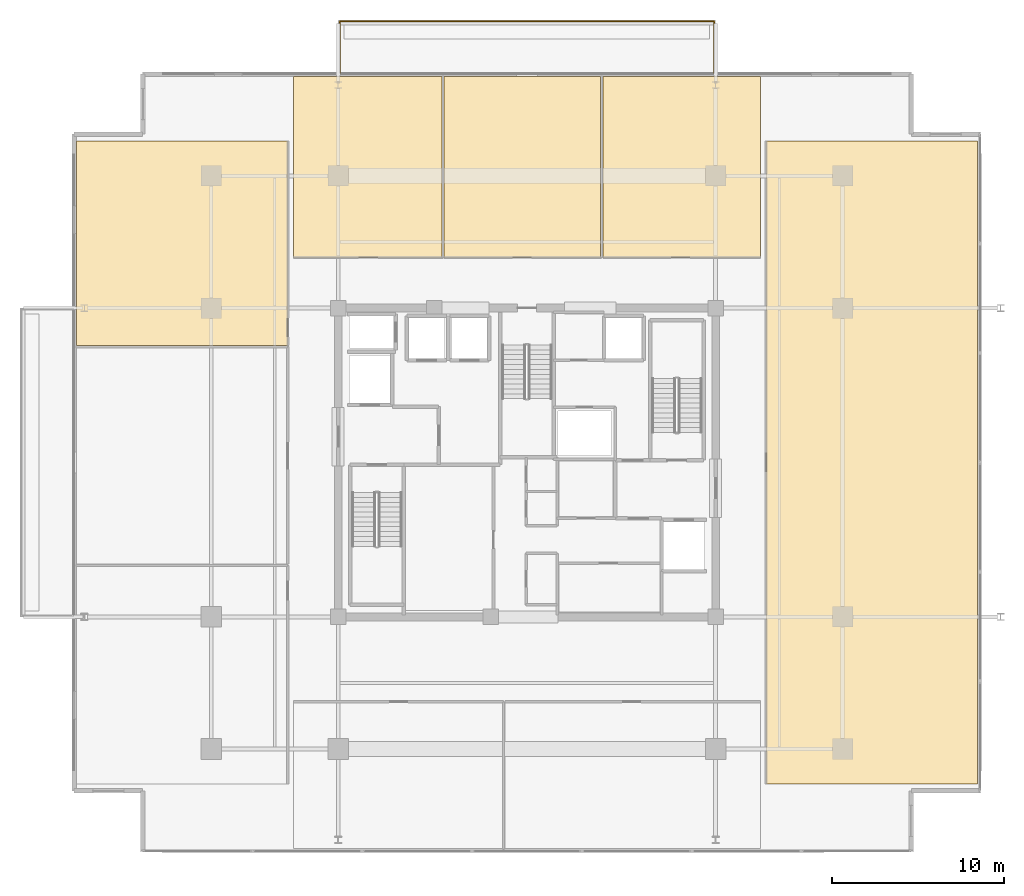
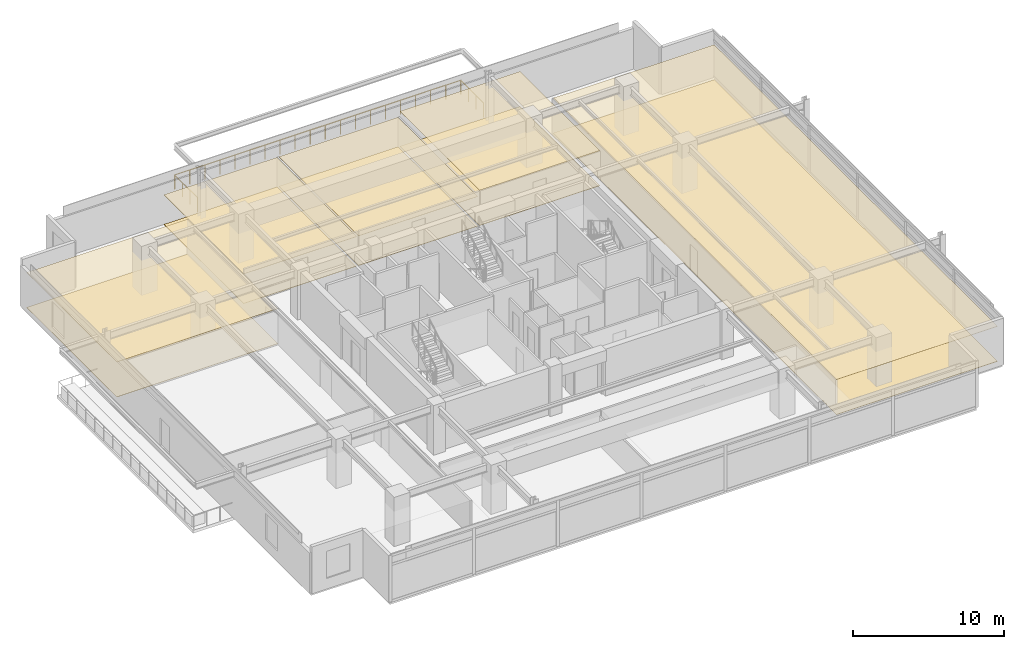
# One storey, part 18 of 18: 10 coverings, 1 railing.
"""IFC4 building model written with IfcOpenShell, lengths in metres."""

import ifcopenshell
import ifcopenshell.guid

model = None  # the IFC model being written
_history = None  # IfcOwnerHistory: only IFC2X3 demands one
_inside = {}  # id of a spatial element -> (the spatial element, [elements in it])
_under = {}  # id of a project, library or spatial element -> (it, [spatial elements below it])
_declared = {}  # id of a project -> (the project, [libraries it declares])
_typed = {}  # id of a type object -> (the type object, [elements of that type])
_made_of = {}  # id of a material, layer set ... -> (it, [elements and type objects made of it])


def new_model(schema):
    """Start an empty IFC model of exactly this schema.

    Asked for "IFC4X3", IfcOpenShell would pick the latest addendum, in which some entities
    have other attributes; the version numbers below select the first issue.
    IFC2X3 requires an IfcOwnerHistory on every rooted entity: one is made here for all.
    """
    global model, _history
    if schema == "IFC4X3":
        model = ifcopenshell.file(schema_version=(4, 3, 0, 0))
    else:
        model = ifcopenshell.file(schema=schema)
    _inside.clear()
    _under.clear()
    _declared.clear()
    _typed.clear()
    _made_of.clear()
    _history = None
    if model.schema == "IFC2X3":
        org = make("IfcOrganization", Name="unknown")
        user = make(
            "IfcPersonAndOrganization",
            ThePerson=make("IfcPerson", FamilyName="unknown"),
            TheOrganization=org,
        )
        app = make(
            "IfcApplication",
            ApplicationDeveloper=org,
            Version="unknown",
            ApplicationFullName="unknown",
            ApplicationIdentifier="unknown",
        )
        _history = make(
            "IfcOwnerHistory",
            OwningUser=user,
            OwningApplication=app,
            ChangeAction="ADDED",
            CreationDate=0,
        )
    return model


def make(cls, **values):
    """One entity of the class cls with the attributes given. An attribute that is None is left unset."""
    return model.create_entity(
        cls, **{name: value for name, value in values.items() if value is not None}
    )


def rooted(cls, **values):
    """An entity with a GlobalId (a new one), such as an element, a storey or a relation."""
    return make(cls, GlobalId=ifcopenshell.guid.new(), OwnerHistory=_history, **values)


def si_unit(unit_type, name, prefix=None):
    """IfcSIUnit, for example si_unit("LENGTHUNIT", "METRE", prefix="MILLI")."""
    return make("IfcSIUnit", UnitType=unit_type, Prefix=prefix, Name=name)


def assignment(units):
    """IfcUnitAssignment: the units of a project."""
    return None if units is None else make("IfcUnitAssignment", Units=units)


def point(xyz):
    """IfcCartesianPoint."""
    return None if xyz is None else make("IfcCartesianPoint", Coordinates=xyz)


def direction(xyz):
    """IfcDirection."""
    return None if xyz is None else make("IfcDirection", DirectionRatios=xyz)


def frame(location, z_axis=None, x_axis=None):
    """IfcAxis2Placement3D, a coordinate frame: its origin and axes. An axis left out is left unset."""
    return make(
        "IfcAxis2Placement3D",
        Location=point(location),
        Axis=direction(z_axis),
        RefDirection=direction(x_axis),
    )


def frame_2d(location, x_axis=None):
    """IfcAxis2Placement2D, a coordinate frame in the plane: its origin and x axis."""
    return make(
        "IfcAxis2Placement2D", Location=point(location), RefDirection=direction(x_axis)
    )


def origin():
    """The frame at (0, 0, 0) with its axes left unset."""
    return frame((0.0, 0.0, 0.0))


def origin_2d():
    """The frame at (0, 0) in the plane with its x axis left unset."""
    return frame_2d((0.0, 0.0))


def place(relative_to, where):
    """IfcLocalPlacement: puts the frame where relative to a parent placement (None: the world)."""
    return make(
        "IfcLocalPlacement", PlacementRelTo=relative_to, RelativePlacement=where
    )


def context(
    kind, dimensions, precision=None, world=None, true_north=None, identifier=None
):
    """IfcGeometricRepresentationContext, for example the 3D "Model" context."""
    return make(
        "IfcGeometricRepresentationContext",
        ContextIdentifier=identifier,
        ContextType=kind,
        CoordinateSpaceDimension=dimensions,
        Precision=precision,
        WorldCoordinateSystem=world,
        TrueNorth=true_north,
    )


def subcontext(parent, identifier, kind, view, scale=None):
    """IfcGeometricRepresentationSubContext, for example "Body" below "Model"."""
    return make(
        "IfcGeometricRepresentationSubContext",
        ContextIdentifier=identifier,
        ContextType=kind,
        ParentContext=parent,
        TargetScale=scale,
        TargetView=view,
    )


def project(units=None, contexts=None):
    """IfcProject with its units and contexts."""
    return rooted(
        "IfcProject",
        Name="project",
        RepresentationContexts=contexts,
        UnitsInContext=assignment(units),
    )


def spatial(cls, under=None, at=None, **own):
    """A site, building, storey or space (cls), placed at a placement, below another one or the project."""
    s = rooted(cls, ObjectPlacement=at, **own)
    if under is not None:
        _under.setdefault(under.id(), (under, []))[1].append(s)
    return s


def polyline(points):
    """IfcPolyline through the points."""
    return make("IfcPolyline", Points=[point(p) for p in points])


def profile(cls, at=None, kind="AREA", **sizes):
    """A parametric profile (cls). Its sizes go by their IFC names, for example OverallWidth=200.0."""
    return make(cls, ProfileType=kind, Position=at, **sizes)


def circle(**sizes):
    """IfcCircleProfileDef."""
    return profile("IfcCircleProfileDef", **sizes)


def outline(outer, holes=None, kind="AREA"):
    """IfcArbitraryClosedProfileDef: a profile drawn as a closed curve; with holes, ...WithVoids."""
    if holes is None:
        return make("IfcArbitraryClosedProfileDef", ProfileType=kind, OuterCurve=outer)
    return make(
        "IfcArbitraryProfileDefWithVoids",
        ProfileType=kind,
        OuterCurve=outer,
        InnerCurves=holes,
    )


def extrude(swept, where, along, depth):
    """IfcExtrudedAreaSolid: the profile swept, set in the frame where, extruded along a direction by depth."""
    return make(
        "IfcExtrudedAreaSolid",
        SweptArea=swept,
        Position=where,
        ExtrudedDirection=direction(along),
        Depth=depth,
    )


def shape(context_of_items, identifier, shape_type, items):
    """IfcShapeRepresentation: the items that make up one representation, for example the "Body"."""
    return make(
        "IfcShapeRepresentation",
        ContextOfItems=context_of_items,
        RepresentationIdentifier=identifier,
        RepresentationType=shape_type,
        Items=items,
    )


def material(Name=None, Category=None):
    """IfcMaterial."""
    return make("IfcMaterial", Name=Name, Category=Category)


def layer(
    of_material, thickness, ventilated=None, Name=None, Category=None, Priority=None
):
    """IfcMaterialLayer: one layer of a wall or slab, of a material (None: an air gap)."""
    return make(
        "IfcMaterialLayer",
        Material=of_material,
        LayerThickness=thickness,
        IsVentilated=ventilated,
        Name=Name,
        Category=Category,
        Priority=Priority,
    )


def layer_set(layers, Name=None):
    """IfcMaterialLayerSet."""
    return make("IfcMaterialLayerSet", MaterialLayers=layers, LayerSetName=Name)


def made_of(thing, what):
    """Note that an element or type object is made of a material, layer set ...; save() writes the relation."""
    if what is not None:
        _made_of.setdefault(what.id(), (what, []))[1].append(thing)
    return thing


def type_object(cls, material=None, **own):
    """A type object (cls), such as IfcWallType, which elements share."""
    return made_of(rooted(cls, **own), material)


def element(
    cls,
    number,
    at=None,
    inside=None,
    cuts=None,
    type_object=None,
    material=None,
    context=None,
    identifier="Body",
    shape_type=None,
    held_by="IfcProductDefinitionShape",
    body=None,
    shapes=None,
    **own,
):
    """One element of the class cls, such as IfcWall. Its Tag is "e" and its number.

    at: its placement. inside: the storey or other place that contains it. cuts: it is an
    opening in that element (IfcRelVoidsElement). A single representation is given by context,
    identifier, shape_type and body (its items); several are given by shapes. held_by: the class
    of the entity that holds the representations. save() writes the other relations.
    """
    e = rooted(cls, Tag="e%d" % number, ObjectPlacement=at, **own)
    if body is not None:
        shapes = [shape(context, identifier, shape_type, body)]
    if shapes is not None:
        e.Representation = make(held_by, Representations=shapes)
    if inside is not None:
        _inside.setdefault(inside.id(), (inside, []))[1].append(e)
    if cuts is not None:
        rooted(
            "IfcRelVoidsElement", RelatingBuildingElement=cuts, RelatedOpeningElement=e
        )
    if type_object is not None:
        _typed.setdefault(type_object.id(), (type_object, []))[1].append(e)
    return made_of(e, material)


def aggregate(whole, parts):
    """IfcRelAggregates: a whole, such as a stair, and the parts it consists of."""
    return rooted("IfcRelAggregates", RelatingObject=whole, RelatedObjects=parts)


def save(model, path):
    """Write the relations noted so far, then the file.

    IfcRelAggregates (storeys below a building ...), IfcRelContainedInSpatialStructure (elements
    in a storey), IfcRelDefinesByType, IfcRelAssociatesMaterial and IfcRelDeclares: one each for
    every whole, place, type object, material and project.
    """
    for whole, parts in _under.values():
        aggregate(whole, parts)
    for where, things in _inside.values():
        rooted(
            "IfcRelContainedInSpatialStructure",
            RelatedElements=things,
            RelatingStructure=where,
        )
    for kind, things in _typed.values():
        rooted("IfcRelDefinesByType", RelatedObjects=things, RelatingType=kind)
    for what, things in _made_of.values():
        rooted("IfcRelAssociatesMaterial", RelatedObjects=things, RelatingMaterial=what)
    for by, libraries in _declared.values():
        rooted("IfcRelDeclares", RelatingContext=by, RelatedDefinitions=libraries)
    model.write(path)


model = new_model("IFC4")

# Units and contexts
model_context = context("Model", 3, precision=1e-05, world=origin(), true_north=direction((0.0, 1.0)))
body_context = subcontext(model_context, "Body", "Model", "MODEL_VIEW")
ifc_project = project(units=[si_unit("LENGTHUNIT", "METRE"), si_unit("AREAUNIT", "SQUARE_METRE"), si_unit("VOLUMEUNIT", "CUBIC_METRE"), si_unit("PLANEANGLEUNIT", "RADIAN"), si_unit("MASSUNIT", "GRAM", prefix="KILO")], contexts=[model_context])

# Site, building, storey
site_placement = place(None, origin())
site = spatial("IfcSite", under=ifc_project, at=site_placement, CompositionType="ELEMENT")
building_placement = place(site_placement, origin())
building = spatial("IfcBuilding", under=site, at=building_placement, Name="Kovane Verandah Tower", CompositionType="ELEMENT")
storey_placement = place(building_placement, frame((0.0, 0.0, 251.199951171875)))
storey = spatial("IfcBuildingStorey", under=building, at=storey_placement, Name="L58", CompositionType="ELEMENT", Elevation=251.199951171875)

# Coverings
ifc_material_1 = material(Name="Perforated Acoustic Mineral-Fibre Ceiling Tile", Category="gypsum")
ifc_layer_1 = layer(ifc_material_1, 0.02490234375)
ifc_layer_set_1 = layer_set([ifc_layer_1], Name="Perforated Acoustic Mineral-Fibre Ceiling Tile")
covering_type_1 = type_object("IfcCoveringType", Name="CV-CEIL-25", PredefinedType="CEILING", material=ifc_layer_set_1)
covering_1_placement = place(storey_placement, frame((0.0, 0.0, 2.39013671875)))
element("IfcCovering", 1, at=covering_1_placement, inside=storey, type_object=covering_type_1, Name="L58 Focus Studio N1 Acoustic Ceiling", PredefinedType="CEILING", context=body_context, shape_type="SweptSolid", body=[
    extrude(outline(polyline([(26.39990234375, 39.449951171875), (35.033935546875, 39.449951171875), (35.033935546875, 49.987548828125), (26.39990234375, 49.987548828125), (26.39990234375, 39.449951171875)])), origin(), (0.0, 0.0, 1.0), 0.02490234375),
])
covering_2_placement = place(storey_placement, frame((0.0, 0.0, 2.39013671875)))
element("IfcCovering", 2, at=covering_2_placement, inside=storey, type_object=covering_type_1, Name="L58 Breakout Pantry N2 Acoustic Ceiling", PredefinedType="CEILING", context=body_context, shape_type="SweptSolid", body=[
    extrude(outline(polyline([(35.174072265625, 39.449951171875), (44.281982421875, 39.449951171875), (44.281982421875, 49.987548828125), (35.174072265625, 49.987548828125), (35.174072265625, 39.449951171875)])), origin(), (0.0, 0.0, 1.0), 0.02490234375),
])
covering_3_placement = place(storey_placement, frame((0.0, 0.0, 2.824951171875)))
element("IfcCovering", 3, at=covering_3_placement, inside=storey, type_object=covering_type_1, Name="L58 Collaboration Hub N3 Acoustic Ceiling", PredefinedType="CEILING", context=body_context, shape_type="SweptSolid", body=[
    extrude(outline(polyline([(44.422119140625, 39.449951171875), (53.60009765625, 39.449951171875), (53.60009765625, 49.987548828125), (44.422119140625, 49.987548828125), (44.422119140625, 39.449951171875)])), origin(), (0.0, 0.0, 1.0), 0.025146484375),
])
covering_4_placement = place(storey_placement, frame((0.0, 0.0, 2.824951171875)))
element("IfcCovering", 4, at=covering_4_placement, inside=storey, type_object=covering_type_1, Name="L58 Meeting Room W3 Acoustic Ceiling", PredefinedType="CEILING", context=body_context, shape_type="SweptSolid", body=[
    extrude(outline(polyline([(13.753662109375, 34.3154296875), (26.050048828125, 34.3154296875), (26.050048828125, 46.237548828125), (13.753662109375, 46.237548828125), (13.753662109375, 34.3154296875)])), origin(), (0.0, 0.0, 1.0), 0.025146484375),
])
covering_5_placement = place(storey_placement, frame((0.0, 0.0, 2.824951171875)))
element("IfcCovering", 5, at=covering_5_placement, inside=storey, type_object=covering_type_1, Name="L58 Focus Studio E1 Acoustic Ceiling", PredefinedType="CEILING", context=body_context, shape_type="SweptSolid", body=[
    extrude(outline(polyline([(53.949951171875, 8.762451171875), (66.246337890625, 8.762451171875), (66.246337890625, 46.237548828125), (53.949951171875, 46.237548828125), (53.949951171875, 8.762451171875)])), origin(), (0.0, 0.0, 1.0), 0.025146484375),
])
ifc_material_2 = material(Name="Polished Terrazzo and Raised-Access Carpet Tile Finish", Category="concrete")
ifc_layer_2 = layer(ifc_material_2, 0.030029296875)
ifc_layer_set_2 = layer_set([ifc_layer_2], Name="Polished Terrazzo and Raised-Access Carpet Tile Finish")
covering_type_2 = type_object("IfcCoveringType", Name="CV-FLOR-30", PredefinedType="FLOORING", material=ifc_layer_set_2)
covering_6_placement = place(storey_placement, origin())
element("IfcCovering", 6, at=covering_6_placement, inside=storey, type_object=covering_type_2, Name="L58 Focus Studio N1 Floor Finish", PredefinedType="FLOORING", context=body_context, shape_type="SweptSolid", body=[
    extrude(outline(polyline([(26.39990234375, 39.449951171875), (35.033935546875, 39.449951171875), (35.033935546875, 49.987548828125), (26.39990234375, 49.987548828125), (26.39990234375, 39.449951171875)])), origin(), (0.0, 0.0, 1.0), 0.030029296875),
])
covering_7_placement = place(storey_placement, origin())
element("IfcCovering", 7, at=covering_7_placement, inside=storey, type_object=covering_type_2, Name="L58 Breakout Pantry N2 Floor Finish", PredefinedType="FLOORING", context=body_context, shape_type="SweptSolid", body=[
    extrude(outline(polyline([(35.174072265625, 39.449951171875), (44.281982421875, 39.449951171875), (44.281982421875, 49.987548828125), (35.174072265625, 49.987548828125), (35.174072265625, 39.449951171875)])), origin(), (0.0, 0.0, 1.0), 0.030029296875),
])
covering_8_placement = place(storey_placement, origin())
element("IfcCovering", 8, at=covering_8_placement, inside=storey, type_object=covering_type_2, Name="L58 Collaboration Hub N3 Floor Finish", PredefinedType="FLOORING", context=body_context, shape_type="SweptSolid", body=[
    extrude(outline(polyline([(44.422119140625, 39.449951171875), (53.60009765625, 39.449951171875), (53.60009765625, 49.987548828125), (44.422119140625, 49.987548828125), (44.422119140625, 39.449951171875)])), origin(), (0.0, 0.0, 1.0), 0.030029296875),
])
covering_9_placement = place(storey_placement, origin())
element("IfcCovering", 9, at=covering_9_placement, inside=storey, type_object=covering_type_2, Name="L58 Meeting Room W3 Floor Finish", PredefinedType="FLOORING", context=body_context, shape_type="SweptSolid", body=[
    extrude(outline(polyline([(13.753662109375, 34.3154296875), (26.050048828125, 34.3154296875), (26.050048828125, 46.237548828125), (13.753662109375, 46.237548828125), (13.753662109375, 34.3154296875)])), origin(), (0.0, 0.0, 1.0), 0.030029296875),
])
covering_10_placement = place(storey_placement, origin())
element("IfcCovering", 10, at=covering_10_placement, inside=storey, type_object=covering_type_2, Name="L58 Focus Studio E1 Floor Finish", PredefinedType="FLOORING", context=body_context, shape_type="SweptSolid", body=[
    extrude(outline(polyline([(53.949951171875, 8.762451171875), (66.246337890625, 8.762451171875), (66.246337890625, 46.237548828125), (53.949951171875, 46.237548828125), (53.949951171875, 8.762451171875)])), origin(), (0.0, 0.0, 1.0), 0.030029296875),
])

# Railing
ifc_material_3 = material(Name="Laminated Glass and Pale-Champagne Stainless Balustrade", Category="glass")
railing_type = type_object("IfcRailingType", Name="RL-BAL-1150", PredefinedType="BALUSTRADE", material=ifc_material_3)
railing_placement = place(storey_placement, frame((29.080078125, 50.1875, 0.0)))
element("IfcRailing", 11, at=railing_placement, inside=storey, type_object=railing_type, Name="L58 N Verandah Glass Balustrade", PredefinedType="BALUSTRADE", context=body_context, shape_type="SweptSolid", body=[
    extrude(circle(Radius=0.02392578125, at=origin_2d()), frame((0.0, 0.0, 1.1259765625), z_axis=(0.0, 1.0, 0.0), x_axis=(-1.0, 0.0, 0.0)), (0.0, 0.0, 1.0), 3.02001953125),
    extrude(circle(Radius=0.02392578125, at=origin_2d()), frame((0.0, 3.02001953125, 1.1259765625), z_axis=(1.0, 0.0, 0.0), x_axis=(0.0, 1.0, 0.0)), (0.0, 0.0, 1.0), 21.83984375),
    extrude(circle(Radius=0.02392578125, at=origin_2d()), frame((21.83984375, 3.02001953125, 1.1259765625), z_axis=(0.0, -1.0, 0.0), x_axis=(1.0, 0.0, 0.0)), (0.0, 0.0, 1.0), 3.02001953125),
    extrude(circle(Radius=0.02099609375, at=origin_2d()), origin(), (0.0, 0.0, 1.0), 1.101806640625),
    extrude(circle(Radius=0.02099609375, at=origin_2d()), frame((0.0, 1.006591796875, 0.0)), (0.0, 0.0, 1.0), 1.101806640625),
    extrude(circle(Radius=0.02099609375, at=origin_2d()), frame((0.0, 2.013427734375, 0.0)), (0.0, 0.0, 1.0), 1.101806640625),
    extrude(circle(Radius=0.02099609375, at=origin_2d()), frame((0.0, 3.02001953125, 0.0)), (0.0, 0.0, 1.0), 1.101806640625),
    extrude(circle(Radius=0.02099609375, at=origin_2d()), frame((1.1494140625, 3.02001953125, 0.0)), (0.0, 0.0, 1.0), 1.101806640625),
    extrude(circle(Radius=0.02099609375, at=origin_2d()), frame((2.298828125, 3.02001953125, 0.0)), (0.0, 0.0, 1.0), 1.101806640625),
    extrude(circle(Radius=0.02099609375, at=origin_2d()), frame((3.448486328125, 3.02001953125, 0.0)), (0.0, 0.0, 1.0), 1.101806640625),
    extrude(circle(Radius=0.02099609375, at=origin_2d()), frame((4.597900390625, 3.02001953125, 0.0)), (0.0, 0.0, 1.0), 1.101806640625),
    extrude(circle(Radius=0.02099609375, at=origin_2d()), frame((5.747314453125, 3.02001953125, 0.0)), (0.0, 0.0, 1.0), 1.101806640625),
    extrude(circle(Radius=0.02099609375, at=origin_2d()), frame((6.896728515625, 3.02001953125, 0.0)), (0.0, 0.0, 1.0), 1.101806640625),
    extrude(circle(Radius=0.02099609375, at=origin_2d()), frame((8.046142578125, 3.02001953125, 0.0)), (0.0, 0.0, 1.0), 1.101806640625),
    extrude(circle(Radius=0.02099609375, at=origin_2d()), frame((9.19580078125, 3.02001953125, 0.0)), (0.0, 0.0, 1.0), 1.101806640625),
    extrude(circle(Radius=0.02099609375, at=origin_2d()), frame((10.34521484375, 3.02001953125, 0.0)), (0.0, 0.0, 1.0), 1.101806640625),
    extrude(circle(Radius=0.02099609375, at=origin_2d()), frame((11.49462890625, 3.02001953125, 0.0)), (0.0, 0.0, 1.0), 1.101806640625),
    extrude(circle(Radius=0.02099609375, at=origin_2d()), frame((12.64404296875, 3.02001953125, 0.0)), (0.0, 0.0, 1.0), 1.101806640625),
    extrude(circle(Radius=0.02099609375, at=origin_2d()), frame((13.793701171875, 3.02001953125, 0.0)), (0.0, 0.0, 1.0), 1.101806640625),
    extrude(circle(Radius=0.02099609375, at=origin_2d()), frame((14.943115234375, 3.02001953125, 0.0)), (0.0, 0.0, 1.0), 1.101806640625),
    extrude(circle(Radius=0.02099609375, at=origin_2d()), frame((16.092529296875, 3.02001953125, 0.0)), (0.0, 0.0, 1.0), 1.101806640625),
    extrude(circle(Radius=0.02099609375, at=origin_2d()), frame((17.241943359375, 3.02001953125, 0.0)), (0.0, 0.0, 1.0), 1.101806640625),
    extrude(circle(Radius=0.02099609375, at=origin_2d()), frame((18.391357421875, 3.02001953125, 0.0)), (0.0, 0.0, 1.0), 1.101806640625),
    extrude(circle(Radius=0.02099609375, at=origin_2d()), frame((19.541015625, 3.02001953125, 0.0)), (0.0, 0.0, 1.0), 1.101806640625),
    extrude(circle(Radius=0.02099609375, at=origin_2d()), frame((20.6904296875, 3.02001953125, 0.0)), (0.0, 0.0, 1.0), 1.101806640625),
    extrude(circle(Radius=0.02099609375, at=origin_2d()), frame((21.83984375, 3.02001953125, 0.0)), (0.0, 0.0, 1.0), 1.101806640625),
    extrude(circle(Radius=0.02099609375, at=origin_2d()), frame((21.83984375, 2.013427734375, 0.0)), (0.0, 0.0, 1.0), 1.101806640625),
    extrude(circle(Radius=0.02099609375, at=origin_2d()), frame((21.83984375, 1.006591796875, 0.0)), (0.0, 0.0, 1.0), 1.101806640625),
    extrude(circle(Radius=0.02099609375, at=origin_2d()), frame((21.83984375, 0.0, 0.0)), (0.0, 0.0, 1.0), 1.101806640625),
])

save(model, "model.ifc")
